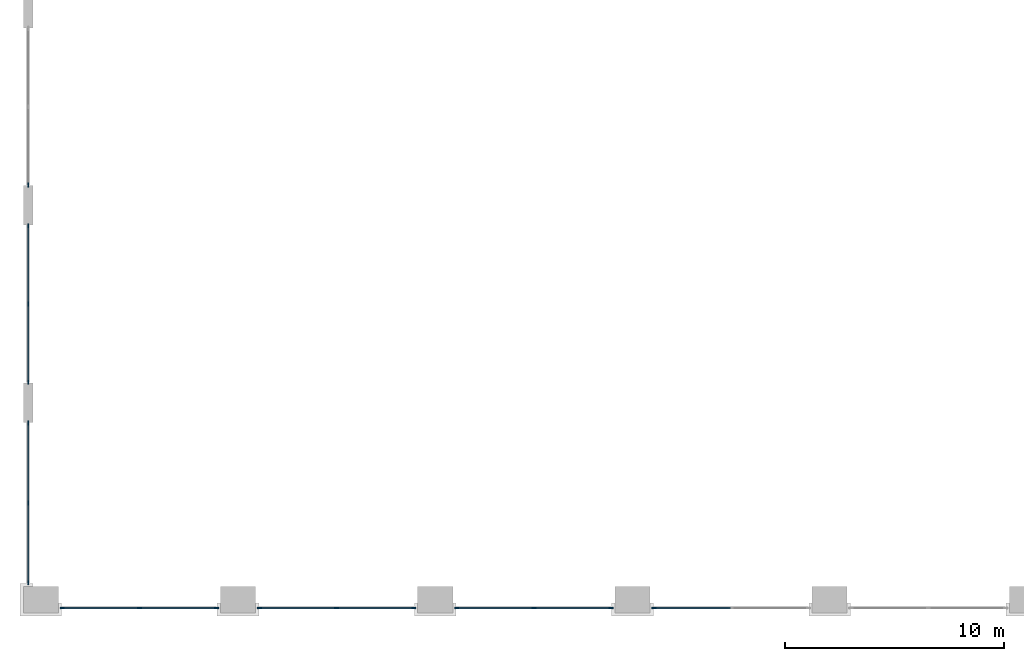
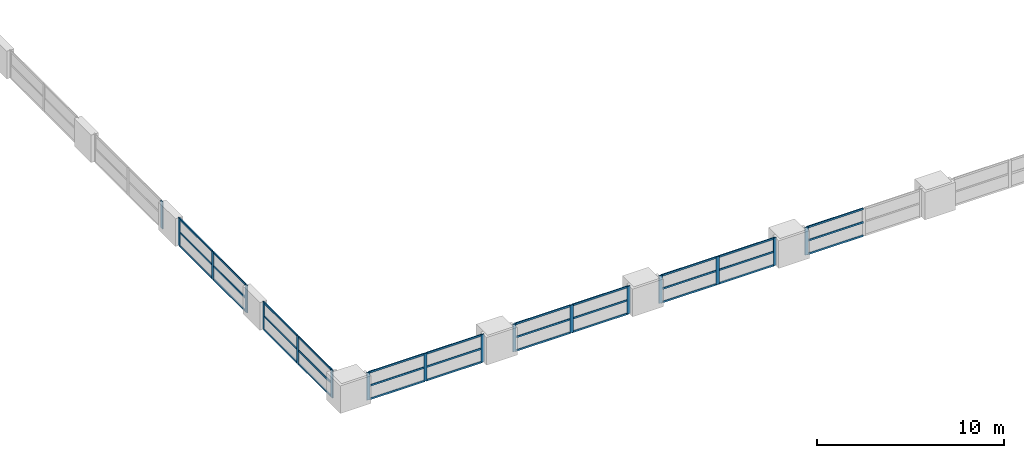
# One storey, part 2 of 32: 50 members, 7 elements without a shape of their own.
"""IFC4 building model written with IfcOpenShell, lengths in metres."""

from ifc_helpers import new_model, si_unit, direction, frame, origin, origin_2d, place, context, subcontext, project, spatial, rectangle, extrude, material, material_profile, profile_set, type_object, element, aggregate, save


model = new_model("IFC4")

# Units and contexts
model_context = context("Model", 3, precision=1e-05, world=origin(), true_north=direction((0.0, 1.0)))
body_context = subcontext(model_context, "Body", "Model", "MODEL_VIEW")
ifc_project = project(units=[si_unit("LENGTHUNIT", "METRE"), si_unit("AREAUNIT", "SQUARE_METRE"), si_unit("VOLUMEUNIT", "CUBIC_METRE"), si_unit("PLANEANGLEUNIT", "RADIAN"), si_unit("MASSUNIT", "GRAM", prefix="KILO")], contexts=[model_context])

# Site, building, storey
site_placement = place(None, origin())
site = spatial("IfcSite", under=ifc_project, at=site_placement, CompositionType="ELEMENT")
building_placement = place(site_placement, origin())
building = spatial("IfcBuilding", under=site, at=building_placement, Name="Aravalli Gate Trade Fair Centre", CompositionType="ELEMENT")
storey_placement = place(building_placement, frame((0.0, 0.0, 23.39990234375)))
storey = spatial("IfcBuildingStorey", under=building, at=storey_placement, Name="ROOF LEVEL 1", CompositionType="ELEMENT", Elevation=23.39990234375)

# Curtain wall, members
ifc_material_1 = material(Name="Aluminium, glass and louvre", Category="aluminium")
curtain_wall_type = type_object("IfcCurtainWallType", Name="Hall crown curtain wall 3000 module", PredefinedType="NOTDEFINED", material=ifc_material_1)
curtain_wall_1_placement = place(storey_placement, origin())
curtain_wall_1 = element("IfcCurtainWall", 1, at=curtain_wall_1_placement, inside=storey, type_object=curtain_wall_type, Name="Hall south crown curtain wall bay 1 ROOF LEVEL 1", PredefinedType="NOTDEFINED")
ifc_material_2 = material(Name="Aluminium", Category="aluminium")
ifc_material_profile_1 = material_profile(ifc_material_2, rectangle(XDim=0.06005859375, YDim=0.199951171875, at=origin_2d()), Name="Hall curtain wall mullion 60 x 200")
ifc_profile_set_1 = profile_set([ifc_material_profile_1], Name="Aluminium")
member_type_1 = type_object("IfcMemberType", Name="Hall curtain wall mullion 60 x 200", PredefinedType="MULLION", material=ifc_profile_set_1)
member_1_placement = place(storey_placement, frame((6.97998046875, 45.625, 0.0), z_axis=(0.0, 0.0, 1.0), x_axis=(0.0, 1.0, 0.0)))
member_1 = element("IfcMember", 2, at=member_1_placement, type_object=member_type_1, Name="HCW1 mullion 1", PredefinedType="MULLION", context=body_context, shape_type="SweptSolid", body=[
    extrude(rectangle(XDim=0.06005859375, YDim=0.199951171875, at=origin_2d()), origin(), (0.0, 0.0, 1.0), 1.800048828125),
])
member_2_placement = place(storey_placement, frame((10.5, 45.625, 0.0), z_axis=(0.0, 0.0, 1.0), x_axis=(0.0, 1.0, 0.0)))
member_2 = element("IfcMember", 3, at=member_2_placement, type_object=member_type_1, Name="HCW1 mullion 2", PredefinedType="MULLION", context=body_context, shape_type="SweptSolid", body=[
    extrude(rectangle(XDim=0.06005859375, YDim=0.199951171875, at=origin_2d()), origin(), (0.0, 0.0, 1.0), 1.800048828125),
])
member_3_placement = place(storey_placement, frame((14.02001953125, 45.625, 0.0), z_axis=(0.0, 0.0, 1.0), x_axis=(0.0, 1.0, 0.0)))
member_3 = element("IfcMember", 4, at=member_3_placement, type_object=member_type_1, Name="HCW1 mullion 3", PredefinedType="MULLION", context=body_context, shape_type="SweptSolid", body=[
    extrude(rectangle(XDim=0.06005859375, YDim=0.199951171875, at=origin_2d()), origin(), (0.0, 0.0, 1.0), 1.800048828125),
])

curtain_wall_2_placement = place(storey_placement, origin())
curtain_wall_2 = element("IfcCurtainWall", 5, at=curtain_wall_2_placement, inside=storey, type_object=curtain_wall_type, Name="Hall south crown curtain wall bay 2 ROOF LEVEL 1", PredefinedType="NOTDEFINED")
member_4_placement = place(storey_placement, frame((15.97998046875, 45.625, 0.0), z_axis=(0.0, 0.0, 1.0), x_axis=(0.0, 1.0, 0.0)))
member_4 = element("IfcMember", 6, at=member_4_placement, type_object=member_type_1, Name="HCW1 mullion 1", PredefinedType="MULLION", context=body_context, shape_type="SweptSolid", body=[
    extrude(rectangle(XDim=0.06005859375, YDim=0.199951171875, at=origin_2d()), origin(), (0.0, 0.0, 1.0), 1.800048828125),
])
member_5_placement = place(storey_placement, frame((19.5, 45.625, 0.0), z_axis=(0.0, 0.0, 1.0), x_axis=(0.0, 1.0, 0.0)))
member_5 = element("IfcMember", 7, at=member_5_placement, type_object=member_type_1, Name="HCW1 mullion 2", PredefinedType="MULLION", context=body_context, shape_type="SweptSolid", body=[
    extrude(rectangle(XDim=0.06005859375, YDim=0.199951171875, at=origin_2d()), origin(), (0.0, 0.0, 1.0), 1.800048828125),
])
member_6_placement = place(storey_placement, frame((23.02001953125, 45.625, 0.0), z_axis=(0.0, 0.0, 1.0), x_axis=(0.0, 1.0, 0.0)))
member_6 = element("IfcMember", 8, at=member_6_placement, type_object=member_type_1, Name="HCW1 mullion 3", PredefinedType="MULLION", context=body_context, shape_type="SweptSolid", body=[
    extrude(rectangle(XDim=0.06005859375, YDim=0.199951171875, at=origin_2d()), origin(), (0.0, 0.0, 1.0), 1.800048828125),
])

curtain_wall_3_placement = place(storey_placement, origin())
curtain_wall_3 = element("IfcCurtainWall", 9, at=curtain_wall_3_placement, inside=storey, type_object=curtain_wall_type, Name="Hall south crown curtain wall bay 3 ROOF LEVEL 1", PredefinedType="NOTDEFINED")
member_7_placement = place(storey_placement, frame((24.97998046875, 45.625, 0.0), z_axis=(0.0, 0.0, 1.0), x_axis=(0.0, 1.0, 0.0)))
member_7 = element("IfcMember", 10, at=member_7_placement, type_object=member_type_1, Name="HCW1 mullion 1", PredefinedType="MULLION", context=body_context, shape_type="SweptSolid", body=[
    extrude(rectangle(XDim=0.06005859375, YDim=0.199951171875, at=origin_2d()), origin(), (0.0, 0.0, 1.0), 1.800048828125),
])
member_8_placement = place(storey_placement, frame((28.5, 45.625, 0.0), z_axis=(0.0, 0.0, 1.0), x_axis=(0.0, 1.0, 0.0)))
member_8 = element("IfcMember", 11, at=member_8_placement, type_object=member_type_1, Name="HCW1 mullion 2", PredefinedType="MULLION", context=body_context, shape_type="SweptSolid", body=[
    extrude(rectangle(XDim=0.06005859375, YDim=0.199951171875, at=origin_2d()), origin(), (0.0, 0.0, 1.0), 1.800048828125),
])
member_9_placement = place(storey_placement, frame((32.02001953125, 45.625, 0.0), z_axis=(0.0, 0.0, 1.0), x_axis=(0.0, 1.0, 0.0)))
member_9 = element("IfcMember", 12, at=member_9_placement, type_object=member_type_1, Name="HCW1 mullion 3", PredefinedType="MULLION", context=body_context, shape_type="SweptSolid", body=[
    extrude(rectangle(XDim=0.06005859375, YDim=0.199951171875, at=origin_2d()), origin(), (0.0, 0.0, 1.0), 1.800048828125),
])

# Curtain wall, member
curtain_wall_4_placement = place(storey_placement, origin())
curtain_wall_4 = element("IfcCurtainWall", 13, at=curtain_wall_4_placement, inside=storey, type_object=curtain_wall_type, Name="Hall south crown curtain wall bay 4 ROOF LEVEL 1", PredefinedType="NOTDEFINED")
member_10_placement = place(storey_placement, frame((33.97998046875, 45.625, 0.0), z_axis=(0.0, 0.0, 1.0), x_axis=(0.0, 1.0, 0.0)))
member_10 = element("IfcMember", 14, at=member_10_placement, type_object=member_type_1, Name="HCW1 mullion 1", PredefinedType="MULLION", context=body_context, shape_type="SweptSolid", body=[
    extrude(rectangle(XDim=0.06005859375, YDim=0.199951171875, at=origin_2d()), origin(), (0.0, 0.0, 1.0), 1.800048828125),
])

# Curtain wall, members
curtain_wall_5_placement = place(storey_placement, origin())
curtain_wall_5 = element("IfcCurtainWall", 15, at=curtain_wall_5_placement, inside=storey, type_object=curtain_wall_type, Name="Hall west crown curtain wall 1 ROOF LEVEL 1", PredefinedType="NOTDEFINED")
member_11_placement = place(storey_placement, frame((5.425048828125, 46.780029296875, 0.0), z_axis=(0.0, 0.0, 1.0), x_axis=(-1.0, 0.0, 0.0)))
member_11 = element("IfcMember", 16, at=member_11_placement, type_object=member_type_1, Name="HCW1 mullion 1", PredefinedType="MULLION", context=body_context, shape_type="SweptSolid", body=[
    extrude(rectangle(XDim=0.06005859375, YDim=0.199951171875, at=origin_2d()), origin(), (0.0, 0.0, 1.0), 1.800048828125),
])
member_12_placement = place(storey_placement, frame((5.425048828125, 50.425048828125, 0.0), z_axis=(0.0, 0.0, 1.0), x_axis=(-1.0, 0.0, 0.0)))
member_12 = element("IfcMember", 17, at=member_12_placement, type_object=member_type_1, Name="HCW1 mullion 2", PredefinedType="MULLION", context=body_context, shape_type="SweptSolid", body=[
    extrude(rectangle(XDim=0.06005859375, YDim=0.199951171875, at=origin_2d()), origin(), (0.0, 0.0, 1.0), 1.800048828125),
])
member_13_placement = place(storey_placement, frame((5.425048828125, 54.070068359375, 0.0), z_axis=(0.0, 0.0, 1.0), x_axis=(-1.0, 0.0, 0.0)))
member_13 = element("IfcMember", 18, at=member_13_placement, type_object=member_type_1, Name="HCW1 mullion 3", PredefinedType="MULLION", context=body_context, shape_type="SweptSolid", body=[
    extrude(rectangle(XDim=0.06005859375, YDim=0.199951171875, at=origin_2d()), origin(), (0.0, 0.0, 1.0), 1.800048828125),
])

curtain_wall_6_placement = place(storey_placement, origin())
curtain_wall_6 = element("IfcCurtainWall", 19, at=curtain_wall_6_placement, inside=storey, type_object=curtain_wall_type, Name="Hall west crown curtain wall 2 ROOF LEVEL 1", PredefinedType="NOTDEFINED")
member_14_placement = place(storey_placement, frame((5.425048828125, 55.929931640625, 0.0), z_axis=(0.0, 0.0, 1.0), x_axis=(-1.0, 0.0, 0.0)))
member_14 = element("IfcMember", 20, at=member_14_placement, type_object=member_type_1, Name="HCW1 mullion 1", PredefinedType="MULLION", context=body_context, shape_type="SweptSolid", body=[
    extrude(rectangle(XDim=0.06005859375, YDim=0.199951171875, at=origin_2d()), origin(), (0.0, 0.0, 1.0), 1.800048828125),
])
member_15_placement = place(storey_placement, frame((5.425048828125, 59.5, 0.0), z_axis=(0.0, 0.0, 1.0), x_axis=(-1.0, 0.0, 0.0)))
member_15 = element("IfcMember", 21, at=member_15_placement, type_object=member_type_1, Name="HCW1 mullion 2", PredefinedType="MULLION", context=body_context, shape_type="SweptSolid", body=[
    extrude(rectangle(XDim=0.06005859375, YDim=0.199951171875, at=origin_2d()), origin(), (0.0, 0.0, 1.0), 1.800048828125),
])
member_16_placement = place(storey_placement, frame((5.425048828125, 63.070068359375, 0.0), z_axis=(0.0, 0.0, 1.0), x_axis=(-1.0, 0.0, 0.0)))
member_16 = element("IfcMember", 22, at=member_16_placement, type_object=member_type_1, Name="HCW1 mullion 3", PredefinedType="MULLION", context=body_context, shape_type="SweptSolid", body=[
    extrude(rectangle(XDim=0.06005859375, YDim=0.199951171875, at=origin_2d()), origin(), (0.0, 0.0, 1.0), 1.800048828125),
])

# Curtain wall, member
curtain_wall_7_placement = place(storey_placement, origin())
curtain_wall_7 = element("IfcCurtainWall", 23, at=curtain_wall_7_placement, inside=storey, type_object=curtain_wall_type, Name="Hall west crown curtain wall 3 ROOF LEVEL 1", PredefinedType="NOTDEFINED")
member_17_placement = place(storey_placement, frame((5.425048828125, 64.929931640625, 0.0), z_axis=(0.0, 0.0, 1.0), x_axis=(-1.0, 0.0, 0.0)))
member_17 = element("IfcMember", 24, at=member_17_placement, type_object=member_type_1, Name="HCW1 mullion 1", PredefinedType="MULLION", context=body_context, shape_type="SweptSolid", body=[
    extrude(rectangle(XDim=0.06005859375, YDim=0.199951171875, at=origin_2d()), origin(), (0.0, 0.0, 1.0), 1.800048828125),
])
aggregate(curtain_wall_7, [member_17])

# Member
ifc_material_profile_2 = material_profile(ifc_material_2, rectangle(XDim=0.06005859375, YDim=0.1201171875, at=origin_2d()), Name="Hall curtain wall transom 60 x 120")
ifc_profile_set_2 = profile_set([ifc_material_profile_2], Name="Aluminium")
member_type_2 = type_object("IfcMemberType", Name="Hall curtain wall transom 60 x 120", PredefinedType="USERDEFINED", material=ifc_profile_set_2)
member_18_placement = place(storey_placement, frame((7.010009765625, 45.625, 0.030029296875), z_axis=(1.0, 0.0, 0.0), x_axis=(0.0, 1.0, 0.0)))
member_18 = element("IfcMember", 25, at=member_18_placement, type_object=member_type_2, Name="HCW1 transom 1.1", ObjectType="TRANSOM", PredefinedType="USERDEFINED", context=body_context, shape_type="SweptSolid", body=[
    extrude(rectangle(XDim=0.06005859375, YDim=0.1201171875, at=origin_2d()), origin(), (0.0, 0.0, 1.0), 3.4599609375),
])

member_19_placement = place(storey_placement, frame((7.010009765625, 45.625, 0.900146484375), z_axis=(1.0, 0.0, 0.0), x_axis=(0.0, 1.0, 0.0)))
member_19 = element("IfcMember", 26, at=member_19_placement, type_object=member_type_2, Name="HCW1 transom 1.2", ObjectType="TRANSOM", PredefinedType="USERDEFINED", context=body_context, shape_type="SweptSolid", body=[
    extrude(rectangle(XDim=0.06005859375, YDim=0.1201171875, at=origin_2d()), origin(), (0.0, 0.0, 1.0), 3.4599609375),
])

member_20_placement = place(storey_placement, frame((7.010009765625, 45.625, 1.77001953125), z_axis=(1.0, 0.0, 0.0), x_axis=(0.0, 1.0, 0.0)))
member_20 = element("IfcMember", 27, at=member_20_placement, type_object=member_type_2, Name="HCW1 transom 1.3", ObjectType="TRANSOM", PredefinedType="USERDEFINED", context=body_context, shape_type="SweptSolid", body=[
    extrude(rectangle(XDim=0.06005859375, YDim=0.1201171875, at=origin_2d()), origin(), (0.0, 0.0, 1.0), 3.4599609375),
])

member_21_placement = place(storey_placement, frame((10.530029296875, 45.625, 0.030029296875), z_axis=(1.0, 0.0, 0.0), x_axis=(0.0, 1.0, 0.0)))
member_21 = element("IfcMember", 28, at=member_21_placement, type_object=member_type_2, Name="HCW1 transom 2.1", ObjectType="TRANSOM", PredefinedType="USERDEFINED", context=body_context, shape_type="SweptSolid", body=[
    extrude(rectangle(XDim=0.06005859375, YDim=0.1201171875, at=origin_2d()), origin(), (0.0, 0.0, 1.0), 3.4599609375),
])

member_22_placement = place(storey_placement, frame((10.530029296875, 45.625, 0.900146484375), z_axis=(1.0, 0.0, 0.0), x_axis=(0.0, 1.0, 0.0)))
member_22 = element("IfcMember", 29, at=member_22_placement, type_object=member_type_2, Name="HCW1 transom 2.2", ObjectType="TRANSOM", PredefinedType="USERDEFINED", context=body_context, shape_type="SweptSolid", body=[
    extrude(rectangle(XDim=0.06005859375, YDim=0.1201171875, at=origin_2d()), origin(), (0.0, 0.0, 1.0), 3.4599609375),
])

member_23_placement = place(storey_placement, frame((10.530029296875, 45.625, 1.77001953125), z_axis=(1.0, 0.0, 0.0), x_axis=(0.0, 1.0, 0.0)))
member_23 = element("IfcMember", 30, at=member_23_placement, type_object=member_type_2, Name="HCW1 transom 2.3", ObjectType="TRANSOM", PredefinedType="USERDEFINED", context=body_context, shape_type="SweptSolid", body=[
    extrude(rectangle(XDim=0.06005859375, YDim=0.1201171875, at=origin_2d()), origin(), (0.0, 0.0, 1.0), 3.4599609375),
])

aggregate(curtain_wall_1, [member_1, member_2, member_3, member_18, member_19, member_20, member_21, member_22, member_23])

member_24_placement = place(storey_placement, frame((16.010009765625, 45.625, 0.030029296875), z_axis=(1.0, 0.0, 0.0), x_axis=(0.0, 1.0, 0.0)))
member_24 = element("IfcMember", 31, at=member_24_placement, type_object=member_type_2, Name="HCW1 transom 1.1", ObjectType="TRANSOM", PredefinedType="USERDEFINED", context=body_context, shape_type="SweptSolid", body=[
    extrude(rectangle(XDim=0.06005859375, YDim=0.1201171875, at=origin_2d()), origin(), (0.0, 0.0, 1.0), 3.4599609375),
])

member_25_placement = place(storey_placement, frame((16.010009765625, 45.625, 0.900146484375), z_axis=(1.0, 0.0, 0.0), x_axis=(0.0, 1.0, 0.0)))
member_25 = element("IfcMember", 32, at=member_25_placement, type_object=member_type_2, Name="HCW1 transom 1.2", ObjectType="TRANSOM", PredefinedType="USERDEFINED", context=body_context, shape_type="SweptSolid", body=[
    extrude(rectangle(XDim=0.06005859375, YDim=0.1201171875, at=origin_2d()), origin(), (0.0, 0.0, 1.0), 3.4599609375),
])

member_26_placement = place(storey_placement, frame((16.010009765625, 45.625, 1.77001953125), z_axis=(1.0, 0.0, 0.0), x_axis=(0.0, 1.0, 0.0)))
member_26 = element("IfcMember", 33, at=member_26_placement, type_object=member_type_2, Name="HCW1 transom 1.3", ObjectType="TRANSOM", PredefinedType="USERDEFINED", context=body_context, shape_type="SweptSolid", body=[
    extrude(rectangle(XDim=0.06005859375, YDim=0.1201171875, at=origin_2d()), origin(), (0.0, 0.0, 1.0), 3.4599609375),
])

member_27_placement = place(storey_placement, frame((19.530029296875, 45.625, 0.030029296875), z_axis=(1.0, 0.0, 0.0), x_axis=(0.0, 1.0, 0.0)))
member_27 = element("IfcMember", 34, at=member_27_placement, type_object=member_type_2, Name="HCW1 transom 2.1", ObjectType="TRANSOM", PredefinedType="USERDEFINED", context=body_context, shape_type="SweptSolid", body=[
    extrude(rectangle(XDim=0.06005859375, YDim=0.1201171875, at=origin_2d()), origin(), (0.0, 0.0, 1.0), 3.4599609375),
])

member_28_placement = place(storey_placement, frame((19.530029296875, 45.625, 0.900146484375), z_axis=(1.0, 0.0, 0.0), x_axis=(0.0, 1.0, 0.0)))
member_28 = element("IfcMember", 35, at=member_28_placement, type_object=member_type_2, Name="HCW1 transom 2.2", ObjectType="TRANSOM", PredefinedType="USERDEFINED", context=body_context, shape_type="SweptSolid", body=[
    extrude(rectangle(XDim=0.06005859375, YDim=0.1201171875, at=origin_2d()), origin(), (0.0, 0.0, 1.0), 3.4599609375),
])

member_29_placement = place(storey_placement, frame((19.530029296875, 45.625, 1.77001953125), z_axis=(1.0, 0.0, 0.0), x_axis=(0.0, 1.0, 0.0)))
member_29 = element("IfcMember", 36, at=member_29_placement, type_object=member_type_2, Name="HCW1 transom 2.3", ObjectType="TRANSOM", PredefinedType="USERDEFINED", context=body_context, shape_type="SweptSolid", body=[
    extrude(rectangle(XDim=0.06005859375, YDim=0.1201171875, at=origin_2d()), origin(), (0.0, 0.0, 1.0), 3.4599609375),
])

aggregate(curtain_wall_2, [member_4, member_5, member_6, member_24, member_25, member_26, member_27, member_28, member_29])

member_30_placement = place(storey_placement, frame((25.010009765625, 45.625, 0.030029296875), z_axis=(1.0, 0.0, 0.0), x_axis=(0.0, 1.0, 0.0)))
member_30 = element("IfcMember", 37, at=member_30_placement, type_object=member_type_2, Name="HCW1 transom 1.1", ObjectType="TRANSOM", PredefinedType="USERDEFINED", context=body_context, shape_type="SweptSolid", body=[
    extrude(rectangle(XDim=0.06005859375, YDim=0.1201171875, at=origin_2d()), origin(), (0.0, 0.0, 1.0), 3.4599609375),
])

member_31_placement = place(storey_placement, frame((25.010009765625, 45.625, 0.900146484375), z_axis=(1.0, 0.0, 0.0), x_axis=(0.0, 1.0, 0.0)))
member_31 = element("IfcMember", 38, at=member_31_placement, type_object=member_type_2, Name="HCW1 transom 1.2", ObjectType="TRANSOM", PredefinedType="USERDEFINED", context=body_context, shape_type="SweptSolid", body=[
    extrude(rectangle(XDim=0.06005859375, YDim=0.1201171875, at=origin_2d()), origin(), (0.0, 0.0, 1.0), 3.4599609375),
])

member_32_placement = place(storey_placement, frame((25.010009765625, 45.625, 1.77001953125), z_axis=(1.0, 0.0, 0.0), x_axis=(0.0, 1.0, 0.0)))
member_32 = element("IfcMember", 39, at=member_32_placement, type_object=member_type_2, Name="HCW1 transom 1.3", ObjectType="TRANSOM", PredefinedType="USERDEFINED", context=body_context, shape_type="SweptSolid", body=[
    extrude(rectangle(XDim=0.06005859375, YDim=0.1201171875, at=origin_2d()), origin(), (0.0, 0.0, 1.0), 3.4599609375),
])

member_33_placement = place(storey_placement, frame((28.530029296875, 45.625, 0.030029296875), z_axis=(1.0, 0.0, 0.0), x_axis=(0.0, 1.0, 0.0)))
member_33 = element("IfcMember", 40, at=member_33_placement, type_object=member_type_2, Name="HCW1 transom 2.1", ObjectType="TRANSOM", PredefinedType="USERDEFINED", context=body_context, shape_type="SweptSolid", body=[
    extrude(rectangle(XDim=0.06005859375, YDim=0.1201171875, at=origin_2d()), origin(), (0.0, 0.0, 1.0), 3.4599609375),
])

member_34_placement = place(storey_placement, frame((28.530029296875, 45.625, 0.900146484375), z_axis=(1.0, 0.0, 0.0), x_axis=(0.0, 1.0, 0.0)))
member_34 = element("IfcMember", 41, at=member_34_placement, type_object=member_type_2, Name="HCW1 transom 2.2", ObjectType="TRANSOM", PredefinedType="USERDEFINED", context=body_context, shape_type="SweptSolid", body=[
    extrude(rectangle(XDim=0.06005859375, YDim=0.1201171875, at=origin_2d()), origin(), (0.0, 0.0, 1.0), 3.4599609375),
])

member_35_placement = place(storey_placement, frame((28.530029296875, 45.625, 1.77001953125), z_axis=(1.0, 0.0, 0.0), x_axis=(0.0, 1.0, 0.0)))
member_35 = element("IfcMember", 42, at=member_35_placement, type_object=member_type_2, Name="HCW1 transom 2.3", ObjectType="TRANSOM", PredefinedType="USERDEFINED", context=body_context, shape_type="SweptSolid", body=[
    extrude(rectangle(XDim=0.06005859375, YDim=0.1201171875, at=origin_2d()), origin(), (0.0, 0.0, 1.0), 3.4599609375),
])

aggregate(curtain_wall_3, [member_7, member_8, member_9, member_30, member_31, member_32, member_33, member_34, member_35])

member_36_placement = place(storey_placement, frame((34.010009765625, 45.625, 0.030029296875), z_axis=(1.0, 0.0, 0.0), x_axis=(0.0, 1.0, 0.0)))
member_36 = element("IfcMember", 43, at=member_36_placement, type_object=member_type_2, Name="HCW1 transom 1.1", ObjectType="TRANSOM", PredefinedType="USERDEFINED", context=body_context, shape_type="SweptSolid", body=[
    extrude(rectangle(XDim=0.06005859375, YDim=0.1201171875, at=origin_2d()), origin(), (0.0, 0.0, 1.0), 3.4599609375),
])

member_37_placement = place(storey_placement, frame((34.010009765625, 45.625, 0.900146484375), z_axis=(1.0, 0.0, 0.0), x_axis=(0.0, 1.0, 0.0)))
member_37 = element("IfcMember", 44, at=member_37_placement, type_object=member_type_2, Name="HCW1 transom 1.2", ObjectType="TRANSOM", PredefinedType="USERDEFINED", context=body_context, shape_type="SweptSolid", body=[
    extrude(rectangle(XDim=0.06005859375, YDim=0.1201171875, at=origin_2d()), origin(), (0.0, 0.0, 1.0), 3.4599609375),
])

member_38_placement = place(storey_placement, frame((34.010009765625, 45.625, 1.77001953125), z_axis=(1.0, 0.0, 0.0), x_axis=(0.0, 1.0, 0.0)))
member_38 = element("IfcMember", 45, at=member_38_placement, type_object=member_type_2, Name="HCW1 transom 1.3", ObjectType="TRANSOM", PredefinedType="USERDEFINED", context=body_context, shape_type="SweptSolid", body=[
    extrude(rectangle(XDim=0.06005859375, YDim=0.1201171875, at=origin_2d()), origin(), (0.0, 0.0, 1.0), 3.4599609375),
])

aggregate(curtain_wall_4, [member_10, member_36, member_37, member_38])

member_39_placement = place(storey_placement, frame((5.425048828125, 46.81005859375, 0.030029296875), z_axis=(0.0, 1.0, 0.0), x_axis=(-1.0, 0.0, 0.0)))
member_39 = element("IfcMember", 46, at=member_39_placement, type_object=member_type_2, Name="HCW1 transom 1.1", ObjectType="TRANSOM", PredefinedType="USERDEFINED", context=body_context, shape_type="SweptSolid", body=[
    extrude(rectangle(XDim=0.06005859375, YDim=0.1201171875, at=origin_2d()), origin(), (0.0, 0.0, 1.0), 3.5849609375),
])

member_40_placement = place(storey_placement, frame((5.425048828125, 46.81005859375, 0.900146484375), z_axis=(0.0, 1.0, 0.0), x_axis=(-1.0, 0.0, 0.0)))
member_40 = element("IfcMember", 47, at=member_40_placement, type_object=member_type_2, Name="HCW1 transom 1.2", ObjectType="TRANSOM", PredefinedType="USERDEFINED", context=body_context, shape_type="SweptSolid", body=[
    extrude(rectangle(XDim=0.06005859375, YDim=0.1201171875, at=origin_2d()), origin(), (0.0, 0.0, 1.0), 3.5849609375),
])

member_41_placement = place(storey_placement, frame((5.425048828125, 46.81005859375, 1.77001953125), z_axis=(0.0, 1.0, 0.0), x_axis=(-1.0, 0.0, 0.0)))
member_41 = element("IfcMember", 48, at=member_41_placement, type_object=member_type_2, Name="HCW1 transom 1.3", ObjectType="TRANSOM", PredefinedType="USERDEFINED", context=body_context, shape_type="SweptSolid", body=[
    extrude(rectangle(XDim=0.06005859375, YDim=0.1201171875, at=origin_2d()), origin(), (0.0, 0.0, 1.0), 3.5849609375),
])

member_42_placement = place(storey_placement, frame((5.425048828125, 50.455078125, 0.030029296875), z_axis=(0.0, 1.0, 0.0), x_axis=(-1.0, 0.0, 0.0)))
member_42 = element("IfcMember", 49, at=member_42_placement, type_object=member_type_2, Name="HCW1 transom 2.1", ObjectType="TRANSOM", PredefinedType="USERDEFINED", context=body_context, shape_type="SweptSolid", body=[
    extrude(rectangle(XDim=0.06005859375, YDim=0.1201171875, at=origin_2d()), origin(), (0.0, 0.0, 1.0), 3.5849609375),
])

member_43_placement = place(storey_placement, frame((5.425048828125, 50.455078125, 0.900146484375), z_axis=(0.0, 1.0, 0.0), x_axis=(-1.0, 0.0, 0.0)))
member_43 = element("IfcMember", 50, at=member_43_placement, type_object=member_type_2, Name="HCW1 transom 2.2", ObjectType="TRANSOM", PredefinedType="USERDEFINED", context=body_context, shape_type="SweptSolid", body=[
    extrude(rectangle(XDim=0.06005859375, YDim=0.1201171875, at=origin_2d()), origin(), (0.0, 0.0, 1.0), 3.5849609375),
])

member_44_placement = place(storey_placement, frame((5.425048828125, 50.455078125, 1.77001953125), z_axis=(0.0, 1.0, 0.0), x_axis=(-1.0, 0.0, 0.0)))
member_44 = element("IfcMember", 51, at=member_44_placement, type_object=member_type_2, Name="HCW1 transom 2.3", ObjectType="TRANSOM", PredefinedType="USERDEFINED", context=body_context, shape_type="SweptSolid", body=[
    extrude(rectangle(XDim=0.06005859375, YDim=0.1201171875, at=origin_2d()), origin(), (0.0, 0.0, 1.0), 3.5849609375),
])

aggregate(curtain_wall_5, [member_11, member_12, member_13, member_39, member_40, member_41, member_42, member_43, member_44])

member_45_placement = place(storey_placement, frame((5.425048828125, 55.9599609375, 0.030029296875), z_axis=(0.0, 1.0, 0.0), x_axis=(-1.0, 0.0, 0.0)))
member_45 = element("IfcMember", 52, at=member_45_placement, type_object=member_type_2, Name="HCW1 transom 1.1", ObjectType="TRANSOM", PredefinedType="USERDEFINED", context=body_context, shape_type="SweptSolid", body=[
    extrude(rectangle(XDim=0.06005859375, YDim=0.1201171875, at=origin_2d()), origin(), (0.0, 0.0, 1.0), 3.510009765625),
])

member_46_placement = place(storey_placement, frame((5.425048828125, 55.9599609375, 0.900146484375), z_axis=(0.0, 1.0, 0.0), x_axis=(-1.0, 0.0, 0.0)))
member_46 = element("IfcMember", 53, at=member_46_placement, type_object=member_type_2, Name="HCW1 transom 1.2", ObjectType="TRANSOM", PredefinedType="USERDEFINED", context=body_context, shape_type="SweptSolid", body=[
    extrude(rectangle(XDim=0.06005859375, YDim=0.1201171875, at=origin_2d()), origin(), (0.0, 0.0, 1.0), 3.510009765625),
])

member_47_placement = place(storey_placement, frame((5.425048828125, 55.9599609375, 1.77001953125), z_axis=(0.0, 1.0, 0.0), x_axis=(-1.0, 0.0, 0.0)))
member_47 = element("IfcMember", 54, at=member_47_placement, type_object=member_type_2, Name="HCW1 transom 1.3", ObjectType="TRANSOM", PredefinedType="USERDEFINED", context=body_context, shape_type="SweptSolid", body=[
    extrude(rectangle(XDim=0.06005859375, YDim=0.1201171875, at=origin_2d()), origin(), (0.0, 0.0, 1.0), 3.510009765625),
])

member_48_placement = place(storey_placement, frame((5.425048828125, 59.530029296875, 0.030029296875), z_axis=(0.0, 1.0, 0.0), x_axis=(-1.0, 0.0, 0.0)))
member_48 = element("IfcMember", 55, at=member_48_placement, type_object=member_type_2, Name="HCW1 transom 2.1", ObjectType="TRANSOM", PredefinedType="USERDEFINED", context=body_context, shape_type="SweptSolid", body=[
    extrude(rectangle(XDim=0.06005859375, YDim=0.1201171875, at=origin_2d()), origin(), (0.0, 0.0, 1.0), 3.510009765625),
])

member_49_placement = place(storey_placement, frame((5.425048828125, 59.530029296875, 0.900146484375), z_axis=(0.0, 1.0, 0.0), x_axis=(-1.0, 0.0, 0.0)))
member_49 = element("IfcMember", 56, at=member_49_placement, type_object=member_type_2, Name="HCW1 transom 2.2", ObjectType="TRANSOM", PredefinedType="USERDEFINED", context=body_context, shape_type="SweptSolid", body=[
    extrude(rectangle(XDim=0.06005859375, YDim=0.1201171875, at=origin_2d()), origin(), (0.0, 0.0, 1.0), 3.510009765625),
])

member_50_placement = place(storey_placement, frame((5.425048828125, 59.530029296875, 1.77001953125), z_axis=(0.0, 1.0, 0.0), x_axis=(-1.0, 0.0, 0.0)))
member_50 = element("IfcMember", 57, at=member_50_placement, type_object=member_type_2, Name="HCW1 transom 2.3", ObjectType="TRANSOM", PredefinedType="USERDEFINED", context=body_context, shape_type="SweptSolid", body=[
    extrude(rectangle(XDim=0.06005859375, YDim=0.1201171875, at=origin_2d()), origin(), (0.0, 0.0, 1.0), 3.510009765625),
])

aggregate(curtain_wall_6, [member_14, member_15, member_16, member_45, member_46, member_47, member_48, member_49, member_50])

save(model, "model.ifc")
